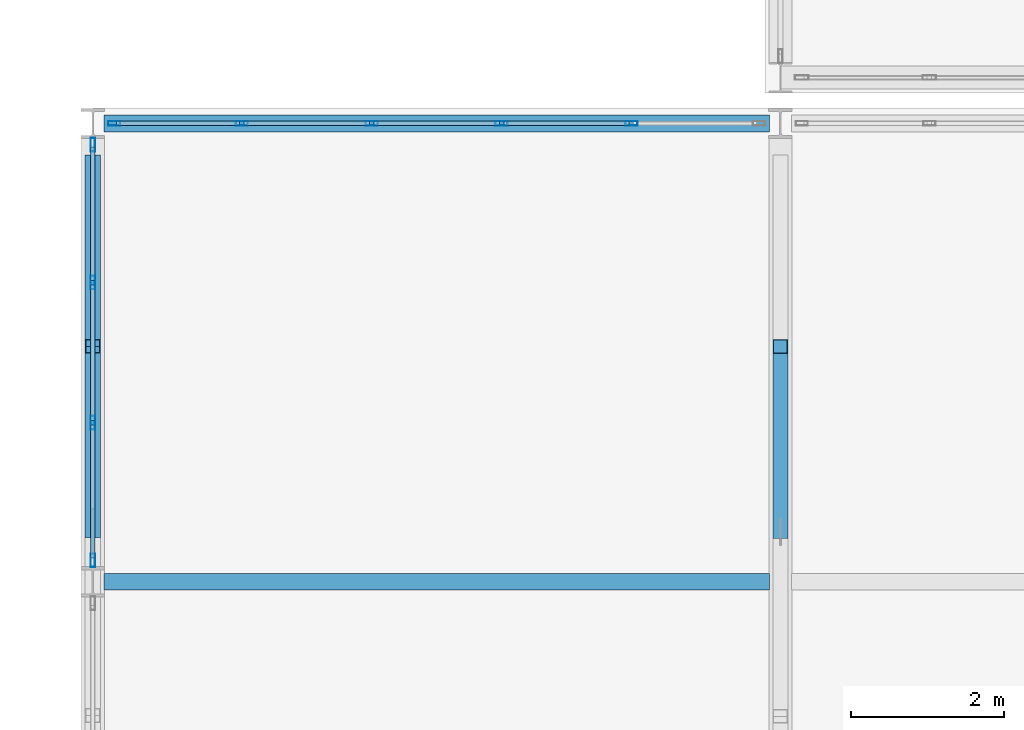
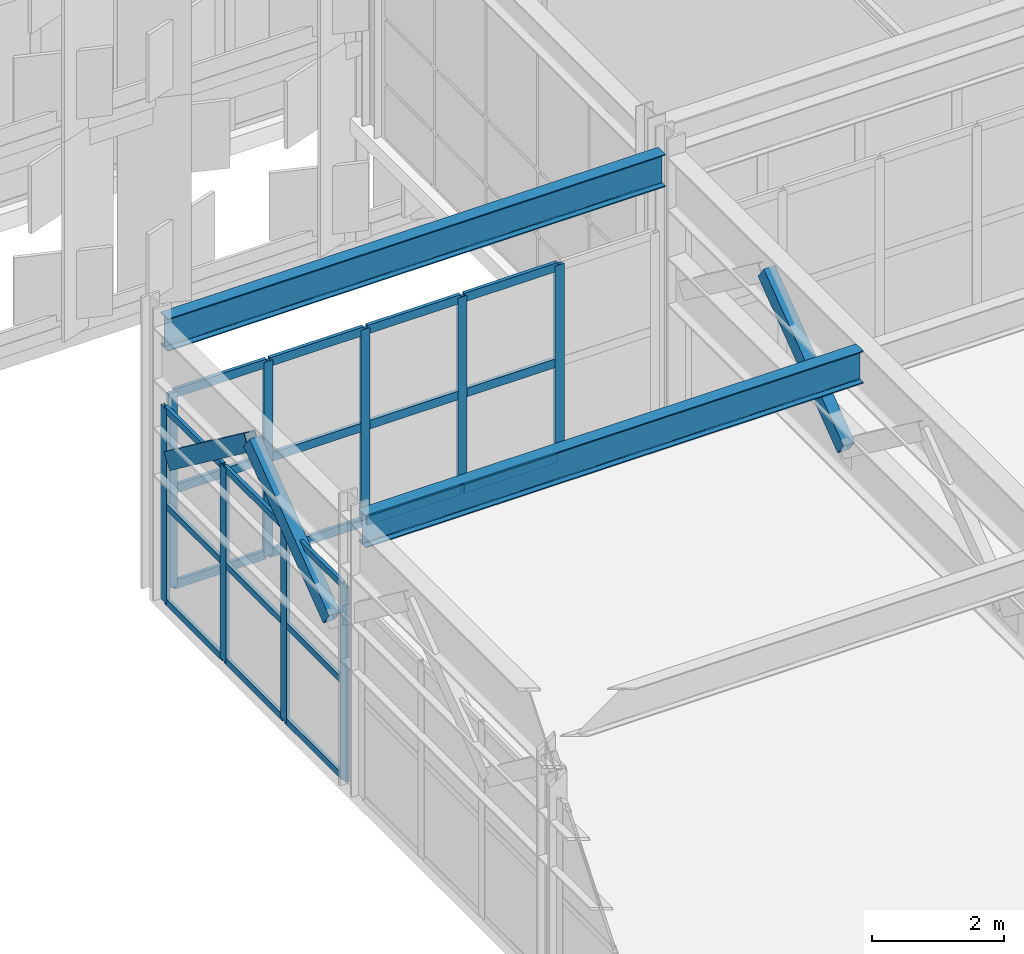
# One storey, part 31 of 210: 33 members, 2 beams, 2 elements without a shape of their own.
"""IFC4 building model written with IfcOpenShell, lengths in metres."""

from ifc_helpers import new_model, si_unit, direction, frame, origin, origin_2d, place, context, subcontext, project, spatial, hollow_rectangle, i_section, extrude, material, material_profile, profile_set, type_object, element, aggregate, save


model = new_model("IFC4")

# Units and contexts
model_context = context("Model", 3, precision=1e-05, world=origin(), true_north=direction((0.0, 1.0)))
body_context = subcontext(model_context, "Body", "Model", "MODEL_VIEW")
ifc_project = project(units=[si_unit("LENGTHUNIT", "METRE"), si_unit("AREAUNIT", "SQUARE_METRE"), si_unit("VOLUMEUNIT", "CUBIC_METRE"), si_unit("PLANEANGLEUNIT", "RADIAN"), si_unit("MASSUNIT", "GRAM", prefix="KILO")], contexts=[model_context])

# Site, building, storey
site_placement = place(None, origin())
site = spatial("IfcSite", under=ifc_project, at=site_placement, CompositionType="ELEMENT")
building_placement = place(site_placement, origin())
building = spatial("IfcBuilding", under=site, at=building_placement, Name="Kaldris Quays Convention Centre", CompositionType="ELEMENT")
storey_placement = place(building_placement, frame((0.0, 0.0, 6.0)))
storey = spatial("IfcBuildingStorey", under=building, at=storey_placement, Name="L01", CompositionType="ELEMENT", Elevation=6.0)

# Curtain wall, members
ifc_material_1 = material(Name="Anodized aluminium AW-6060 and triple glazing", Category="aluminium")
curtain_wall_type = type_object("IfcCurtainWallType", Name="UNITISED CURTAIN WALL CW05", PredefinedType="NOTDEFINED", material=ifc_material_1)
curtain_wall_1_placement = place(storey_placement, origin())
curtain_wall_1 = element("IfcCurtainWall", 1, at=curtain_wall_1_placement, inside=storey, type_object=curtain_wall_type, Name="L01 Unitised Curtain Wall CW05 60", PredefinedType="NOTDEFINED")
ifc_material_2 = material(Name="Anodized aluminium AW-6060", Category="aluminium")
ifc_material_profile_1 = material_profile(ifc_material_2, hollow_rectangle(XDim=0.06005859375, YDim=0.159912109375, WallThickness=0.00390625, at=origin_2d()), Name="RHS 160x60x4")
ifc_profile_set_1 = profile_set([ifc_material_profile_1], Name="Anodized aluminium AW-6060")
member_type_1 = type_object("IfcMemberType", Name="CURTAIN MULLION CWM1", PredefinedType="MULLION", material=ifc_profile_set_1)
member_1_placement = place(storey_placement, frame((20.280029296875, 46.0, 0.0), z_axis=(0.0, 0.0, 1.0), x_axis=(0.0, 1.0, 0.0)))
member_1 = element("IfcMember", 2, at=member_1_placement, type_object=member_type_1, Name="CW05 mullion 1", PredefinedType="MULLION", context=body_context, shape_type="SweptSolid", body=[
    extrude(hollow_rectangle(XDim=0.06005859375, YDim=0.159912109375, WallThickness=0.00390625, at=origin_2d()), origin(), (0.0, 0.0, 1.0), 3.60009765625),
])
member_2_placement = place(storey_placement, frame((21.949951171875, 46.0, 0.0), z_axis=(0.0, 0.0, 1.0), x_axis=(0.0, 1.0, 0.0)))
member_2 = element("IfcMember", 3, at=member_2_placement, type_object=member_type_1, Name="CW05 mullion 2", PredefinedType="MULLION", context=body_context, shape_type="SweptSolid", body=[
    extrude(hollow_rectangle(XDim=0.06005859375, YDim=0.159912109375, WallThickness=0.00390625, at=origin_2d()), origin(), (0.0, 0.0, 1.0), 3.60009765625),
])
member_3_placement = place(storey_placement, frame((23.64990234375, 46.0, 0.0), z_axis=(0.0, 0.0, 1.0), x_axis=(0.0, 1.0, 0.0)))
member_3 = element("IfcMember", 4, at=member_3_placement, type_object=member_type_1, Name="CW05 mullion 3", PredefinedType="MULLION", context=body_context, shape_type="SweptSolid", body=[
    extrude(hollow_rectangle(XDim=0.06005859375, YDim=0.159912109375, WallThickness=0.00390625, at=origin_2d()), origin(), (0.0, 0.0, 1.0), 3.60009765625),
])
member_4_placement = place(storey_placement, frame((25.35009765625, 46.0, 0.0), z_axis=(0.0, 0.0, 1.0), x_axis=(0.0, 1.0, 0.0)))
member_4 = element("IfcMember", 5, at=member_4_placement, type_object=member_type_1, Name="CW05 mullion 4", PredefinedType="MULLION", context=body_context, shape_type="SweptSolid", body=[
    extrude(hollow_rectangle(XDim=0.06005859375, YDim=0.159912109375, WallThickness=0.00390625, at=origin_2d()), origin(), (0.0, 0.0, 1.0), 3.60009765625),
])
member_5_placement = place(storey_placement, frame((27.050048828125, 46.0, 0.0), z_axis=(0.0, 0.0, 1.0), x_axis=(0.0, 1.0, 0.0)))
member_5 = element("IfcMember", 6, at=member_5_placement, type_object=member_type_1, Name="CW05 mullion 5", PredefinedType="MULLION", context=body_context, shape_type="SweptSolid", body=[
    extrude(hollow_rectangle(XDim=0.06005859375, YDim=0.159912109375, WallThickness=0.00390625, at=origin_2d()), origin(), (0.0, 0.0, 1.0), 3.60009765625),
])

curtain_wall_2_placement = place(storey_placement, origin())
curtain_wall_2 = element("IfcCurtainWall", 7, at=curtain_wall_2_placement, inside=storey, type_object=curtain_wall_type, Name="L01 Unitised Curtain Wall CW05 77", PredefinedType="NOTDEFINED")
ifc_material_profile_2 = material_profile(ifc_material_2, hollow_rectangle(XDim=0.06005859375, YDim=0.179931640625, WallThickness=0.0048828125, at=origin_2d()), Name="RHS 180x60x5")
ifc_profile_set_2 = profile_set([ifc_material_profile_2], Name="Anodized aluminium AW-6060")
member_type_2 = type_object("IfcMemberType", Name="CURTAIN MULLION CWM2", PredefinedType="MULLION", material=ifc_profile_set_2)
member_6_placement = place(storey_placement, frame((20.0, 40.280029296875, 0.0), z_axis=(0.0, 0.0, 1.0), x_axis=(-1.0, 0.0, 0.0)))
member_6 = element("IfcMember", 8, at=member_6_placement, type_object=member_type_2, Name="CW05 mullion 1", PredefinedType="MULLION", context=body_context, shape_type="SweptSolid", body=[
    extrude(hollow_rectangle(XDim=0.06005859375, YDim=0.179931640625, WallThickness=0.0048828125, at=origin_2d()), origin(), (0.0, 0.0, 1.0), 3.60009765625),
])
member_7_placement = place(storey_placement, frame((20.0, 42.083251953125, 0.0), z_axis=(0.0, 0.0, 1.0), x_axis=(-1.0, 0.0, 0.0)))
member_7 = element("IfcMember", 9, at=member_7_placement, type_object=member_type_2, Name="CW05 mullion 2", PredefinedType="MULLION", context=body_context, shape_type="SweptSolid", body=[
    extrude(hollow_rectangle(XDim=0.06005859375, YDim=0.179931640625, WallThickness=0.0048828125, at=origin_2d()), origin(), (0.0, 0.0, 1.0), 3.60009765625),
])
member_8_placement = place(storey_placement, frame((20.0, 43.916748046875, 0.0), z_axis=(0.0, 0.0, 1.0), x_axis=(-1.0, 0.0, 0.0)))
member_8 = element("IfcMember", 10, at=member_8_placement, type_object=member_type_2, Name="CW05 mullion 3", PredefinedType="MULLION", context=body_context, shape_type="SweptSolid", body=[
    extrude(hollow_rectangle(XDim=0.06005859375, YDim=0.179931640625, WallThickness=0.0048828125, at=origin_2d()), origin(), (0.0, 0.0, 1.0), 3.60009765625),
])
member_9_placement = place(storey_placement, frame((20.0, 45.719970703125, 0.0), z_axis=(0.0, 0.0, 1.0), x_axis=(-1.0, 0.0, 0.0)))
member_9 = element("IfcMember", 11, at=member_9_placement, type_object=member_type_2, Name="CW05 mullion 4", PredefinedType="MULLION", context=body_context, shape_type="SweptSolid", body=[
    extrude(hollow_rectangle(XDim=0.06005859375, YDim=0.179931640625, WallThickness=0.0048828125, at=origin_2d()), origin(), (0.0, 0.0, 1.0), 3.60009765625),
])
ifc_material_profile_3 = material_profile(ifc_material_2, hollow_rectangle(XDim=0.06005859375, YDim=0.1201171875, WallThickness=0.00390625, at=origin_2d()), Name="RHS 120x60x4")
ifc_profile_set_3 = profile_set([ifc_material_profile_3], Name="Anodized aluminium AW-6060")
member_type_3 = type_object("IfcMemberType", Name="CURTAIN TRANSOM CWT1", PredefinedType="USERDEFINED", material=ifc_profile_set_3)
member_10_placement = place(storey_placement, frame((20.0, 40.31005859375, 0.030029296875), z_axis=(0.0, 1.0, 0.0), x_axis=(-1.0, 0.0, 0.0)))
member_10 = element("IfcMember", 12, at=member_10_placement, type_object=member_type_3, Name="CW05 transom 1.1", ObjectType="TRANSOM", PredefinedType="USERDEFINED", context=body_context, shape_type="SweptSolid", body=[
    extrude(hollow_rectangle(XDim=0.06005859375, YDim=0.1201171875, WallThickness=0.00390625, at=origin_2d()), origin(), (0.0, 0.0, 1.0), 1.7431640625),
])
member_11_placement = place(storey_placement, frame((20.0, 40.31005859375, 1.800048828125), z_axis=(0.0, 1.0, 0.0), x_axis=(-1.0, 0.0, 0.0)))
member_11 = element("IfcMember", 13, at=member_11_placement, type_object=member_type_3, Name="CW05 transom 1.2", ObjectType="TRANSOM", PredefinedType="USERDEFINED", context=body_context, shape_type="SweptSolid", body=[
    extrude(hollow_rectangle(XDim=0.06005859375, YDim=0.1201171875, WallThickness=0.00390625, at=origin_2d()), origin(), (0.0, 0.0, 1.0), 1.7431640625),
])
member_12_placement = place(storey_placement, frame((20.0, 40.31005859375, 3.570068359375), z_axis=(0.0, 1.0, 0.0), x_axis=(-1.0, 0.0, 0.0)))
member_12 = element("IfcMember", 14, at=member_12_placement, type_object=member_type_3, Name="CW05 transom 1.3", ObjectType="TRANSOM", PredefinedType="USERDEFINED", context=body_context, shape_type="SweptSolid", body=[
    extrude(hollow_rectangle(XDim=0.06005859375, YDim=0.1201171875, WallThickness=0.00390625, at=origin_2d()), origin(), (0.0, 0.0, 1.0), 1.7431640625),
])
member_13_placement = place(storey_placement, frame((20.0, 42.11328125, 0.030029296875), z_axis=(0.0, 1.0, 0.0), x_axis=(-1.0, 0.0, 0.0)))
member_13 = element("IfcMember", 15, at=member_13_placement, type_object=member_type_3, Name="CW05 transom 2.1", ObjectType="TRANSOM", PredefinedType="USERDEFINED", context=body_context, shape_type="SweptSolid", body=[
    extrude(hollow_rectangle(XDim=0.06005859375, YDim=0.1201171875, WallThickness=0.00390625, at=origin_2d()), origin(), (0.0, 0.0, 1.0), 1.7734375),
])
member_14_placement = place(storey_placement, frame((20.0, 42.11328125, 1.800048828125), z_axis=(0.0, 1.0, 0.0), x_axis=(-1.0, 0.0, 0.0)))
member_14 = element("IfcMember", 16, at=member_14_placement, type_object=member_type_3, Name="CW05 transom 2.2", ObjectType="TRANSOM", PredefinedType="USERDEFINED", context=body_context, shape_type="SweptSolid", body=[
    extrude(hollow_rectangle(XDim=0.06005859375, YDim=0.1201171875, WallThickness=0.00390625, at=origin_2d()), origin(), (0.0, 0.0, 1.0), 1.7734375),
])
member_15_placement = place(storey_placement, frame((20.0, 42.11328125, 3.570068359375), z_axis=(0.0, 1.0, 0.0), x_axis=(-1.0, 0.0, 0.0)))
member_15 = element("IfcMember", 17, at=member_15_placement, type_object=member_type_3, Name="CW05 transom 2.3", ObjectType="TRANSOM", PredefinedType="USERDEFINED", context=body_context, shape_type="SweptSolid", body=[
    extrude(hollow_rectangle(XDim=0.06005859375, YDim=0.1201171875, WallThickness=0.00390625, at=origin_2d()), origin(), (0.0, 0.0, 1.0), 1.7734375),
])
member_16_placement = place(storey_placement, frame((20.0, 43.94677734375, 0.030029296875), z_axis=(0.0, 1.0, 0.0), x_axis=(-1.0, 0.0, 0.0)))
member_16 = element("IfcMember", 18, at=member_16_placement, type_object=member_type_3, Name="CW05 transom 3.1", ObjectType="TRANSOM", PredefinedType="USERDEFINED", context=body_context, shape_type="SweptSolid", body=[
    extrude(hollow_rectangle(XDim=0.06005859375, YDim=0.1201171875, WallThickness=0.00390625, at=origin_2d()), origin(), (0.0, 0.0, 1.0), 1.7431640625),
])
member_17_placement = place(storey_placement, frame((20.0, 43.94677734375, 1.800048828125), z_axis=(0.0, 1.0, 0.0), x_axis=(-1.0, 0.0, 0.0)))
member_17 = element("IfcMember", 19, at=member_17_placement, type_object=member_type_3, Name="CW05 transom 3.2", ObjectType="TRANSOM", PredefinedType="USERDEFINED", context=body_context, shape_type="SweptSolid", body=[
    extrude(hollow_rectangle(XDim=0.06005859375, YDim=0.1201171875, WallThickness=0.00390625, at=origin_2d()), origin(), (0.0, 0.0, 1.0), 1.7431640625),
])
member_18_placement = place(storey_placement, frame((20.0, 43.94677734375, 3.570068359375), z_axis=(0.0, 1.0, 0.0), x_axis=(-1.0, 0.0, 0.0)))
member_18 = element("IfcMember", 20, at=member_18_placement, type_object=member_type_3, Name="CW05 transom 3.3", ObjectType="TRANSOM", PredefinedType="USERDEFINED", context=body_context, shape_type="SweptSolid", body=[
    extrude(hollow_rectangle(XDim=0.06005859375, YDim=0.1201171875, WallThickness=0.00390625, at=origin_2d()), origin(), (0.0, 0.0, 1.0), 1.7431640625),
])
aggregate(curtain_wall_2, [member_6, member_7, member_8, member_9, member_10, member_11, member_12, member_13, member_14, member_15, member_16, member_17, member_18])

# Member
ifc_material_profile_4 = material_profile(ifc_material_2, hollow_rectangle(XDim=0.06005859375, YDim=0.159912109375, WallThickness=0.00390625, at=origin_2d()), Name="RHS 160x60x4")
ifc_profile_set_4 = profile_set([ifc_material_profile_4], Name="Anodized aluminium AW-6060")
member_type_4 = type_object("IfcMemberType", Name="CURTAIN TRANSOM CWT2", PredefinedType="USERDEFINED", material=ifc_profile_set_4)
member_19_placement = place(storey_placement, frame((20.31005859375, 46.0, 0.030029296875), z_axis=(1.0, 0.0, 0.0), x_axis=(0.0, 1.0, 0.0)))
member_19 = element("IfcMember", 21, at=member_19_placement, type_object=member_type_4, Name="CW05 transom 1.1", ObjectType="TRANSOM", PredefinedType="USERDEFINED", context=body_context, shape_type="SweptSolid", body=[
    extrude(hollow_rectangle(XDim=0.06005859375, YDim=0.159912109375, WallThickness=0.00390625, at=origin_2d()), origin(), (0.0, 0.0, 1.0), 1.60986328125),
])

member_20_placement = place(storey_placement, frame((20.31005859375, 46.0, 1.800048828125), z_axis=(1.0, 0.0, 0.0), x_axis=(0.0, 1.0, 0.0)))
member_20 = element("IfcMember", 22, at=member_20_placement, type_object=member_type_4, Name="CW05 transom 1.2", ObjectType="TRANSOM", PredefinedType="USERDEFINED", context=body_context, shape_type="SweptSolid", body=[
    extrude(hollow_rectangle(XDim=0.06005859375, YDim=0.159912109375, WallThickness=0.00390625, at=origin_2d()), origin(), (0.0, 0.0, 1.0), 1.60986328125),
])

member_21_placement = place(storey_placement, frame((20.31005859375, 46.0, 3.570068359375), z_axis=(1.0, 0.0, 0.0), x_axis=(0.0, 1.0, 0.0)))
member_21 = element("IfcMember", 23, at=member_21_placement, type_object=member_type_4, Name="CW05 transom 1.3", ObjectType="TRANSOM", PredefinedType="USERDEFINED", context=body_context, shape_type="SweptSolid", body=[
    extrude(hollow_rectangle(XDim=0.06005859375, YDim=0.159912109375, WallThickness=0.00390625, at=origin_2d()), origin(), (0.0, 0.0, 1.0), 1.60986328125),
])

member_22_placement = place(storey_placement, frame((21.97998046875, 46.0, 0.030029296875), z_axis=(1.0, 0.0, 0.0), x_axis=(0.0, 1.0, 0.0)))
member_22 = element("IfcMember", 24, at=member_22_placement, type_object=member_type_4, Name="CW05 transom 2.1", ObjectType="TRANSOM", PredefinedType="USERDEFINED", context=body_context, shape_type="SweptSolid", body=[
    extrude(hollow_rectangle(XDim=0.06005859375, YDim=0.159912109375, WallThickness=0.00390625, at=origin_2d()), origin(), (0.0, 0.0, 1.0), 1.64013671875),
])

member_23_placement = place(storey_placement, frame((21.97998046875, 46.0, 1.800048828125), z_axis=(1.0, 0.0, 0.0), x_axis=(0.0, 1.0, 0.0)))
member_23 = element("IfcMember", 25, at=member_23_placement, type_object=member_type_4, Name="CW05 transom 2.2", ObjectType="TRANSOM", PredefinedType="USERDEFINED", context=body_context, shape_type="SweptSolid", body=[
    extrude(hollow_rectangle(XDim=0.06005859375, YDim=0.159912109375, WallThickness=0.00390625, at=origin_2d()), origin(), (0.0, 0.0, 1.0), 1.64013671875),
])

member_24_placement = place(storey_placement, frame((21.97998046875, 46.0, 3.570068359375), z_axis=(1.0, 0.0, 0.0), x_axis=(0.0, 1.0, 0.0)))
member_24 = element("IfcMember", 26, at=member_24_placement, type_object=member_type_4, Name="CW05 transom 2.3", ObjectType="TRANSOM", PredefinedType="USERDEFINED", context=body_context, shape_type="SweptSolid", body=[
    extrude(hollow_rectangle(XDim=0.06005859375, YDim=0.159912109375, WallThickness=0.00390625, at=origin_2d()), origin(), (0.0, 0.0, 1.0), 1.64013671875),
])

member_25_placement = place(storey_placement, frame((23.679931640625, 46.0, 0.030029296875), z_axis=(1.0, 0.0, 0.0), x_axis=(0.0, 1.0, 0.0)))
member_25 = element("IfcMember", 27, at=member_25_placement, type_object=member_type_4, Name="CW05 transom 3.1", ObjectType="TRANSOM", PredefinedType="USERDEFINED", context=body_context, shape_type="SweptSolid", body=[
    extrude(hollow_rectangle(XDim=0.06005859375, YDim=0.159912109375, WallThickness=0.00390625, at=origin_2d()), origin(), (0.0, 0.0, 1.0), 1.64013671875),
])

member_26_placement = place(storey_placement, frame((23.679931640625, 46.0, 1.800048828125), z_axis=(1.0, 0.0, 0.0), x_axis=(0.0, 1.0, 0.0)))
member_26 = element("IfcMember", 28, at=member_26_placement, type_object=member_type_4, Name="CW05 transom 3.2", ObjectType="TRANSOM", PredefinedType="USERDEFINED", context=body_context, shape_type="SweptSolid", body=[
    extrude(hollow_rectangle(XDim=0.06005859375, YDim=0.159912109375, WallThickness=0.00390625, at=origin_2d()), origin(), (0.0, 0.0, 1.0), 1.64013671875),
])

member_27_placement = place(storey_placement, frame((23.679931640625, 46.0, 3.570068359375), z_axis=(1.0, 0.0, 0.0), x_axis=(0.0, 1.0, 0.0)))
member_27 = element("IfcMember", 29, at=member_27_placement, type_object=member_type_4, Name="CW05 transom 3.3", ObjectType="TRANSOM", PredefinedType="USERDEFINED", context=body_context, shape_type="SweptSolid", body=[
    extrude(hollow_rectangle(XDim=0.06005859375, YDim=0.159912109375, WallThickness=0.00390625, at=origin_2d()), origin(), (0.0, 0.0, 1.0), 1.64013671875),
])

member_28_placement = place(storey_placement, frame((25.3798828125, 46.0, 0.030029296875), z_axis=(1.0, 0.0, 0.0), x_axis=(0.0, 1.0, 0.0)))
member_28 = element("IfcMember", 30, at=member_28_placement, type_object=member_type_4, Name="CW05 transom 4.1", ObjectType="TRANSOM", PredefinedType="USERDEFINED", context=body_context, shape_type="SweptSolid", body=[
    extrude(hollow_rectangle(XDim=0.06005859375, YDim=0.159912109375, WallThickness=0.00390625, at=origin_2d()), origin(), (0.0, 0.0, 1.0), 1.64013671875),
])

member_29_placement = place(storey_placement, frame((25.3798828125, 46.0, 1.800048828125), z_axis=(1.0, 0.0, 0.0), x_axis=(0.0, 1.0, 0.0)))
member_29 = element("IfcMember", 31, at=member_29_placement, type_object=member_type_4, Name="CW05 transom 4.2", ObjectType="TRANSOM", PredefinedType="USERDEFINED", context=body_context, shape_type="SweptSolid", body=[
    extrude(hollow_rectangle(XDim=0.06005859375, YDim=0.159912109375, WallThickness=0.00390625, at=origin_2d()), origin(), (0.0, 0.0, 1.0), 1.64013671875),
])

member_30_placement = place(storey_placement, frame((25.3798828125, 46.0, 3.570068359375), z_axis=(1.0, 0.0, 0.0), x_axis=(0.0, 1.0, 0.0)))
member_30 = element("IfcMember", 32, at=member_30_placement, type_object=member_type_4, Name="CW05 transom 4.3", ObjectType="TRANSOM", PredefinedType="USERDEFINED", context=body_context, shape_type="SweptSolid", body=[
    extrude(hollow_rectangle(XDim=0.06005859375, YDim=0.159912109375, WallThickness=0.00390625, at=origin_2d()), origin(), (0.0, 0.0, 1.0), 1.64013671875),
])

aggregate(curtain_wall_1, [member_1, member_2, member_3, member_4, member_5, member_19, member_20, member_21, member_22, member_23, member_24, member_25, member_26, member_27, member_28, member_29, member_30])

# Beams
ifc_material_3 = material(Name="Steel S355J2", Category="steel")
ifc_material_profile_5 = material_profile(ifc_material_3, i_section(OverallWidth=0.219970703125, OverallDepth=0.60009765625, WebThickness=0.011962890625, FlangeThickness=0.01904296875, FilletRadius=0.02392578125, at=origin_2d()), Name="IPE 600")
ifc_profile_set_5 = profile_set([ifc_material_profile_5], Name="Steel S355J2")
beam_type = type_object("IfcBeamType", Name="STRUCTURAL BEAM BM10", PredefinedType="BEAM", material=ifc_profile_set_5)
for number, where, z_axis, x_axis, name in (
    (33, (20.14501953125, 40.0, 4.758056640625), (1.0, 0.0, 0.0), (0.0, 1.0, 0.0), "L01 Ballroom Tie Beam BM10"),
    (34, (20.14501953125, 46.0, 4.758056640625), (1.0, 0.0, 0.0), (0.0, 1.0, 0.0), "L01 Ballroom Tie Beam BM10"),
):
    element("IfcBeam", number, at=place(storey_placement, frame(where, z_axis=z_axis, x_axis=x_axis)), inside=storey, type_object=beam_type, Name=name, PredefinedType="BEAM", context=body_context, shape_type="SweptSolid", body=[
        extrude(i_section(OverallWidth=0.219970703125, OverallDepth=0.60009765625, WebThickness=0.011962890625, FlangeThickness=0.01904296875, FilletRadius=0.02392578125, at=origin_2d()), origin(), (0.0, 0.0, 1.0), 8.7099609375),
    ])

# Members
ifc_material_4 = material(Name="Steel S355J2H", Category="steel")
ifc_material_profile_6 = material_profile(ifc_material_4, hollow_rectangle(XDim=0.199951171875, YDim=0.300048828125, WallThickness=0.012451171875, at=origin_2d()), Name="RHS 300x200x12.5")
ifc_profile_set_6 = profile_set([ifc_material_profile_6], Name="Steel S355J2H")
member_type_5 = type_object("IfcMemberType", Name="STRUCTURAL MEMBER TTD1", PredefinedType="BRACE", material=ifc_profile_set_6)
member_31_placement = place(storey_placement, frame((20.0, 40.666748046875, 2.75), z_axis=(0.0, 0.800678988238, 0.599093613548), x_axis=(-1.0, 0.0, 0.0)))
element("IfcMember", 35, at=member_31_placement, inside=storey, type_object=member_type_5, Name="Transfer Truss TT01 Diagonal 11", PredefinedType="BRACE", context=body_context, shape_type="SweptSolid", body=[
    extrude(hollow_rectangle(XDim=0.199951171875, YDim=0.300048828125, WallThickness=0.012451171875, at=origin_2d()), origin(), (0.0, 0.0, 1.0), 3.01806640625),
])
member_32_placement = place(storey_placement, frame((20.0, 45.5, 2.75), z_axis=(0.0, -0.800708018983, 0.599054812464), x_axis=(1.0, 0.0, 0.0)))
element("IfcMember", 36, at=member_32_placement, inside=storey, type_object=member_type_5, Name="Transfer Truss TT01 Diagonal 12", PredefinedType="BRACE", context=body_context, shape_type="SweptSolid", body=[
    extrude(hollow_rectangle(XDim=0.199951171875, YDim=0.300048828125, WallThickness=0.012451171875, at=origin_2d()), origin(), (0.0, 0.0, 1.0), 3.018310546875),
])
member_33_placement = place(storey_placement, frame((29.0, 40.659912109375, 2.75), z_axis=(0.0, 0.801113857753, 0.598511977254), x_axis=(-1.0, 0.0, 0.0)))
element("IfcMember", 37, at=member_33_placement, inside=storey, type_object=member_type_5, Name="Transfer Truss TT02 Diagonal 9", PredefinedType="BRACE", context=body_context, shape_type="SweptSolid", body=[
    extrude(hollow_rectangle(XDim=0.199951171875, YDim=0.300048828125, WallThickness=0.012451171875, at=origin_2d()), origin(), (0.0, 0.0, 1.0), 3.02099609375),
])

save(model, "model.ifc")
